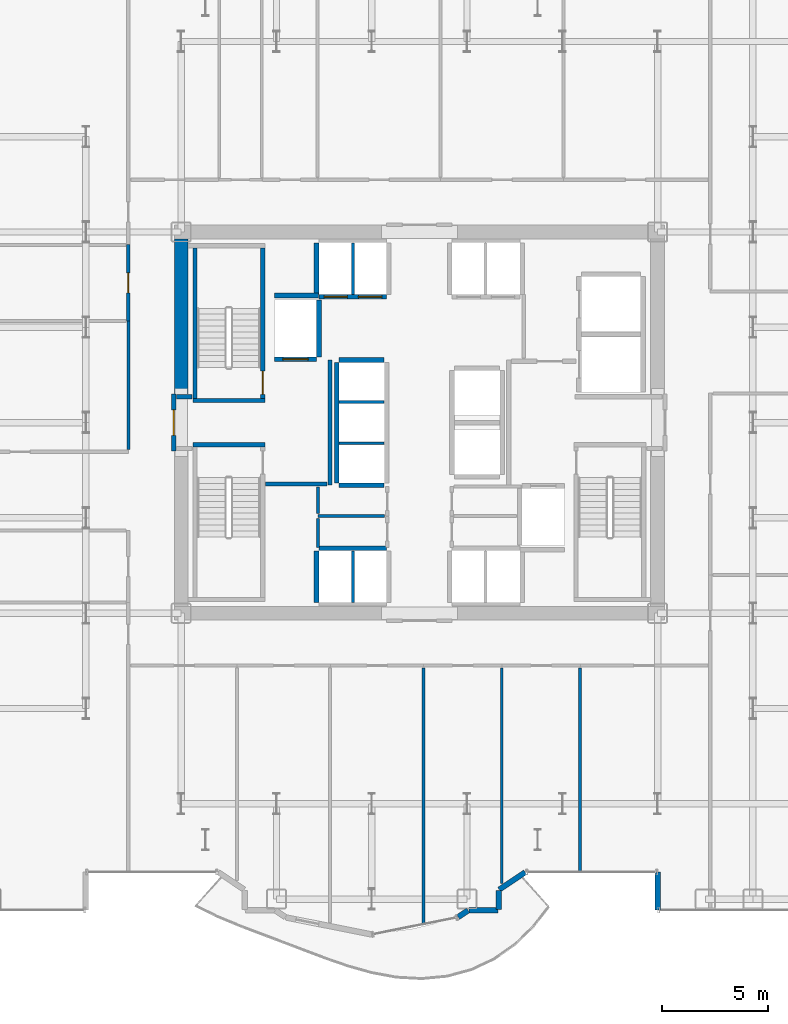
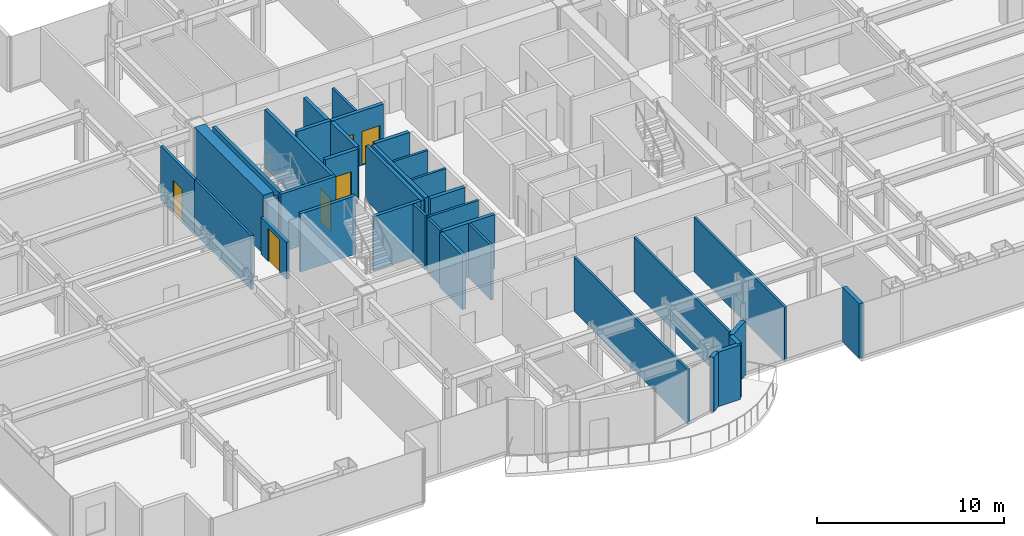
# One storey, part 23 of 29: 36 walls, 6 doors, 6 openings.
"""IFC4 building model written with IfcOpenShell, lengths in metres."""

from ifc_helpers import new_model, si_unit, direction, frame, frame_2d, origin, place, context, subcontext, project, spatial, rectangle, extrude, source, transform, mapped, material, layer, layer_set, type_object, element, fill, save


model = new_model("IFC4")

# Units and contexts
model_context = context("Model", 3, precision=1e-05, world=origin(), true_north=direction((0.0, 1.0)))
body_context = subcontext(model_context, "Body", "Model", "MODEL_VIEW")
ifc_project = project(units=[si_unit("LENGTHUNIT", "METRE"), si_unit("AREAUNIT", "SQUARE_METRE"), si_unit("VOLUMEUNIT", "CUBIC_METRE"), si_unit("PLANEANGLEUNIT", "RADIAN"), si_unit("MASSUNIT", "GRAM", prefix="KILO")], contexts=[model_context])

# Site, building, storey
site_placement = place(None, origin())
site = spatial("IfcSite", under=ifc_project, at=site_placement, CompositionType="ELEMENT")
building_placement = place(site_placement, origin())
building = spatial("IfcBuilding", under=site, at=building_placement, Name="Nefas-Gora Pilgrimage Tower", CompositionType="ELEMENT")
storey_placement = place(building_placement, frame((0.0, 0.0, 44.39990234375)))
storey = spatial("IfcBuildingStorey", under=building, at=storey_placement, Name="L09", CompositionType="ELEMENT", Elevation=44.39990234375)

# Walls
ifc_material_1 = material(Name="Concrete C60/75", Category="concrete")
ifc_layer_1 = layer(ifc_material_1, 0.64990234375)
ifc_layer_set_1 = layer_set([ifc_layer_1], Name="Concrete C60/75")
wall_type_1 = type_object("IfcWallType", Name="SW-CORE-650", PredefinedType="SHEAR", material=ifc_layer_set_1)
shared_shape_1 = source(origin(), body_context, "Body", "SweptSolid", [
    extrude(rectangle(XDim=7.324951171875, YDim=0.64990234375, at=frame_2d((3.66259765625, 0.0))), origin(), (0.0, 0.0, 1.0), 3.800048828125),
])
wall_1_placement = place(storey_placement, frame((-11.25, 1.35009765625, 0.0), z_axis=(0.0, 0.0, 1.0), x_axis=(0.0, 1.0, 0.0)))
element("IfcWall", 1, at=wall_1_placement, inside=storey, type_object=wall_type_1, Name="L09 Core Shear Wall W-North", PredefinedType="SHEAR", context=body_context, shape_type="MappedRepresentation", body=[
    mapped(shared_shape_1, transform((0.0, 0.0, 0.0), x_axis=(1.0, 0.0, 0.0), y_axis=(0.0, 1.0, 0.0), z_axis=(0.0, 0.0, 1.0), scale=1.0)),
])
ifc_material_2 = material(Name="Precast concrete C40/50", Category="concrete")
ifc_layer_2 = layer(ifc_material_2, 0.260009765625)
ifc_layer_set_2 = layer_set([ifc_layer_2], Name="Precast concrete C40/50")
wall_type_2 = type_object("IfcWallType", Name="EW-PORTAL-260", PredefinedType="SOLIDWALL", material=ifc_layer_set_2)
shared_shape_2 = source(origin(), body_context, "Body", "SweptSolid", [
    extrude(rectangle(XDim=1.800048828125, YDim=0.260009765625, at=frame_2d((0.89990234375, 0.0))), origin(), (0.0, 0.0, 1.0), 3.550048828125),
])
wall_2_placement = place(storey_placement, frame((11.25, -21.219970703125, 0.0), z_axis=(0.0, 0.0, 1.0), x_axis=(0.0, -1.0, 0.0)))
element("IfcWall", 2, at=wall_2_placement, inside=storey, type_object=wall_type_2, Name="L09 Lobe Shoulder Precast Spandrel Pier 5", PredefinedType="SOLIDWALL", context=body_context, shape_type="MappedRepresentation", body=[
    mapped(shared_shape_2, transform((0.0, 0.0, 0.0), x_axis=(1.0, 0.0, 0.0), y_axis=(0.0, 1.0, 0.0), z_axis=(0.0, 0.0, 1.0), scale=1.0)),
])
shared_shape_3 = source(origin(), body_context, "Body", "SweptSolid", [
    extrude(rectangle(XDim=1.468994140625, YDim=0.260009765625, at=frame_2d((0.734375, 0.0))), origin(), (0.0, 0.0, 1.0), 3.550048828125),
])
wall_3_placement = place(storey_placement, frame((3.773193359375, -22.0517578125, 0.0), z_axis=(0.0, 0.0, 1.0), x_axis=(0.831461760506, 0.555581983884, 0.0)))
element("IfcWall", 3, at=wall_3_placement, inside=storey, type_object=wall_type_2, Name="L09 Lobe Shoulder Precast Spandrel Pier 42", PredefinedType="SOLIDWALL", context=body_context, shape_type="MappedRepresentation", body=[
    mapped(shared_shape_3, transform((0.0, 0.0, 0.0), x_axis=(1.0, 0.0, 0.0), y_axis=(0.0, 1.0, 0.0), z_axis=(0.0, 0.0, 1.0), scale=1.0)),
])
shared_shape_4 = source(origin(), body_context, "Body", "SweptSolid", [
    extrude(rectangle(XDim=0.896728515625, YDim=0.260009765625, at=frame_2d((0.4482421875, 0.0))), origin(), (0.0, 0.0, 1.0), 3.550048828125),
])
wall_4_placement = place(storey_placement, frame((3.75, -22.991943359375, 0.0), z_axis=(0.0, 0.0, 1.0), x_axis=(0.0, 1.0, 0.0)))
element("IfcWall", 4, at=wall_4_placement, inside=storey, type_object=wall_type_2, Name="L09 Lobe Shoulder Precast Spandrel Pier 41", PredefinedType="SOLIDWALL", context=body_context, shape_type="MappedRepresentation", body=[
    mapped(shared_shape_4, transform((0.0, 0.0, 0.0), x_axis=(1.0, 0.0, 0.0), y_axis=(0.0, 1.0, 0.0), z_axis=(0.0, 0.0, 1.0), scale=1.0)),
])
shared_shape_5 = source(origin(), body_context, "Body", "SweptSolid", [
    extrude(rectangle(XDim=1.369873046875, YDim=0.260009765625, at=frame_2d((0.68505859375, 0.0))), origin(), (0.0, 0.0, 1.0), 3.550048828125),
])
wall_5_placement = place(storey_placement, frame((2.35205078125, -23.02001953125, 0.0), z_axis=(0.0, 0.0, 1.0), x_axis=(1.0, 0.0, 0.0)))
element("IfcWall", 5, at=wall_5_placement, inside=storey, type_object=wall_type_2, Name="L09 Lobe Shoulder Precast Spandrel Pier 40", PredefinedType="SOLIDWALL", context=body_context, shape_type="MappedRepresentation", body=[
    mapped(shared_shape_5, transform((0.0, 0.0, 0.0), x_axis=(1.0, 0.0, 0.0), y_axis=(0.0, 1.0, 0.0), z_axis=(0.0, 0.0, 1.0), scale=1.0)),
])
shared_shape_6 = source(origin(), body_context, "Body", "SweptSolid", [
    extrude(rectangle(XDim=0.5654296875, YDim=0.260009765625, at=frame_2d((0.28271484375, 0.0))), origin(), (0.0, 0.0, 1.0), 3.550048828125),
])
wall_6_placement = place(storey_placement, frame((1.83056640625, -23.349609375, 0.0), z_axis=(0.0, 0.0, 1.0), x_axis=(0.831651492666, 0.555297933317, 0.0)))
element("IfcWall", 6, at=wall_6_placement, inside=storey, type_object=wall_type_2, Name="L09 Lobe Shoulder Precast Spandrel Pier 39", PredefinedType="SOLIDWALL", context=body_context, shape_type="MappedRepresentation", body=[
    mapped(shared_shape_6, transform((0.0, 0.0, 0.0), x_axis=(1.0, 0.0, 0.0), y_axis=(0.0, 1.0, 0.0), z_axis=(0.0, 0.0, 1.0), scale=1.0)),
])
ifc_material_3 = material(Name="Concrete C45/55", Category="concrete")
ifc_layer_3 = layer(ifc_material_3, 0.199951171875)
ifc_layer_set_3 = layer_set([ifc_layer_3], Name="Concrete C45/55")
wall_type_3 = type_object("IfcWallType", Name="IW-STAIR-200", PredefinedType="SOLIDWALL", material=ifc_layer_set_3)
shared_shape_7 = source(origin(), body_context, "Body", "SweptSolid", [
    extrude(rectangle(XDim=3.39990234375, YDim=0.199951171875, at=frame_2d((1.699951171875, 0.0))), origin(), (0.0, 0.0, 1.0), 3.800048828125),
])
for number, where, z_axis, x_axis, name in (
    (7, (-7.300048828125, 1.050048828125, 0.0), (0.0, 0.0, 1.0), (-1.0, 0.0, 0.0), "L09 Stairwell Shear Wall ST-01-near"),
    (8, (-10.699951171875, -1.050048828125, 0.0), (0.0, 0.0, 1.0), (1.0, 0.0, 0.0), "L09 Stairwell Shear Wall ST-03-near"),
):
    element("IfcWall", number, at=place(storey_placement, frame(where, z_axis=z_axis, x_axis=x_axis)), inside=storey, type_object=wall_type_3, Name=name, PredefinedType="SOLIDWALL", context=body_context, shape_type="MappedRepresentation", body=[
        mapped(shared_shape_7, transform((0.0, 0.0, 0.0), x_axis=(1.0, 0.0, 0.0), y_axis=(0.0, 1.0, 0.0), z_axis=(0.0, 0.0, 1.0), scale=1.0)),
    ])

# Wall, opening, door
shared_shape_8 = source(origin(), body_context, "Body", "SweptSolid", [
    extrude(rectangle(XDim=7.10009765625, YDim=0.199951171875, at=frame_2d((3.550048828125, 0.0))), origin(), (0.0, 0.0, 1.0), 3.800048828125),
])
wall_7_placement = place(storey_placement, frame((-7.39990234375, 1.14990234375, 0.0), z_axis=(0.0, 0.0, 1.0), x_axis=(0.0, 1.0, 0.0)))
wall_7 = element("IfcWall", 9, at=wall_7_placement, inside=storey, type_object=wall_type_3, Name="L09 Stairwell Shear Wall ST-01-left", PredefinedType="SOLIDWALL", context=body_context, shape_type="MappedRepresentation", body=[
    mapped(shared_shape_8, transform((0.0, 0.0, 0.0), x_axis=(1.0, 0.0, 0.0), y_axis=(0.0, 1.0, 0.0), z_axis=(0.0, 0.0, 1.0), scale=1.0)),
])
opening_1_placement = place(wall_7_placement, frame((0.179931640625, 0.0, 0.0)))
opening_1 = element("IfcOpeningElement", 10, at=opening_1_placement, cuts=wall_7, Name="Opening ID-ST1", PredefinedType="OPENING", context=body_context, shape_type="SweptSolid", body=[
    extrude(rectangle(XDim=1.10009765625, YDim=2.14990234375, at=frame_2d((0.550048828125, 1.074951171875))), frame((0.0, 0.10986328125, 0.0), z_axis=(0.0, -1.0, 0.0), x_axis=(1.0, 0.0, 0.0)), (0.0, 0.0, 1.0), 0.219970703125),
])
ifc_material_4 = material(Name="Painted galvanised steel fire stair door", Category="steel")
door_type_1 = type_object("IfcDoorType", Name="DR-INT-STAIR-1100", OperationType="NOTDEFINED", PredefinedType="DOOR", material=ifc_material_4)
shared_shape_9 = source(origin(), body_context, "Body", "SweptSolid", [
    extrude(rectangle(XDim=1.10009765625, YDim=2.14990234375, at=frame_2d((0.550048828125, 1.074951171875))), frame((0.0, 0.02490234375, 0.0), z_axis=(0.0, -1.0, 0.0), x_axis=(1.0, 0.0, 0.0)), (0.0, 0.0, 1.0), 0.050048828125),
])
door_1_placement = place(opening_1_placement, origin())
door_1 = element("IfcDoor", 11, at=door_1_placement, inside=storey, type_object=door_type_1, Name="L09 Protected Exit Stair Door ST-01", OperationType="SINGLE_SWING_LEFT", OverallHeight=2.14990234375, OverallWidth=1.10009765625, PredefinedType="DOOR", context=body_context, shape_type="MappedRepresentation", body=[
    mapped(shared_shape_9, transform((0.0, 0.0, 0.0), x_axis=(1.0, 0.0, 0.0), y_axis=(0.0, 1.0, 0.0), z_axis=(0.0, 0.0, 1.0), scale=1.0)),
])
fill(opening_1, door_1)

# Wall
wall_8_placement = place(storey_placement, frame((-10.60009765625, 1.14990234375, 0.0), z_axis=(0.0, 0.0, 1.0), x_axis=(0.0, 1.0, 0.0)))
element("IfcWall", 12, at=wall_8_placement, inside=storey, type_object=wall_type_3, Name="L09 Stairwell Shear Wall ST-01-right", PredefinedType="SOLIDWALL", context=body_context, shape_type="MappedRepresentation", body=[
    mapped(shared_shape_8, transform((0.0, 0.0, 0.0), x_axis=(1.0, 0.0, 0.0), y_axis=(0.0, 1.0, 0.0), z_axis=(0.0, 0.0, 1.0), scale=1.0)),
])

# Wall, opening, door
ifc_material_5 = material(Name="Concrete C40/50", Category="concrete")
ifc_layer_4 = layer(ifc_material_5, 0.219970703125)
ifc_layer_set_4 = layer_set([ifc_layer_4], Name="Concrete C40/50")
wall_type_4 = type_object("IfcWallType", Name="IW-SHAFT-220", PredefinedType="SOLIDWALL", material=ifc_layer_set_4)
shared_shape_10 = source(origin(), body_context, "Body", "SweptSolid", [
    extrude(rectangle(XDim=2.0, YDim=0.219970703125, at=frame_2d((1.0, 0.0))), origin(), (0.0, 0.0, 1.0), 3.53515625),
])
wall_9_placement = place(storey_placement, frame((-6.85009765625, 2.989990234375, 0.0), z_axis=(0.0, 0.0, 1.0), x_axis=(1.0, 0.0, 0.0)))
wall_9 = element("IfcWall", 13, at=wall_9_placement, inside=storey, type_object=wall_type_4, Name="L09 Hoistway Wall FFL-01-S", PredefinedType="SOLIDWALL", context=body_context, shape_type="MappedRepresentation", body=[
    mapped(shared_shape_10, transform((0.0, 0.0, 0.0), x_axis=(1.0, 0.0, 0.0), y_axis=(0.0, 1.0, 0.0), z_axis=(0.0, 0.0, 1.0), scale=1.0)),
])
opening_2_placement = place(wall_9_placement, frame((0.39990234375, 0.0, 0.0)))
opening_2 = element("IfcOpeningElement", 14, at=opening_2_placement, cuts=wall_9, Name="Opening LD-FF", PredefinedType="OPENING", context=body_context, shape_type="SweptSolid", body=[
    extrude(rectangle(XDim=1.199951171875, YDim=2.199951171875, at=frame_2d((0.60009765625, 1.10009765625))), frame((0.0, 0.119873046875, 0.0), z_axis=(0.0, -1.0, 0.0), x_axis=(1.0, 0.0, 0.0)), (0.0, 0.0, 1.0), 0.239990234375),
])
ifc_material_6 = material(Name="Fire-service sliding lift landing door")
door_type_2 = type_object("IfcDoorType", Name="DR-LIFT-FSAE-1200", OperationType="SLIDING_TO_LEFT", PredefinedType="DOOR", material=ifc_material_6)
shared_shape_11 = source(origin(), body_context, "Body", "SweptSolid", [
    extrude(rectangle(XDim=1.199951171875, YDim=2.199951171875, at=frame_2d((0.60009765625, 1.10009765625))), frame((0.0, 0.02490234375, 0.0), z_axis=(0.0, -1.0, 0.0), x_axis=(1.0, 0.0, 0.0)), (0.0, 0.0, 1.0), 0.050048828125),
])
door_2_placement = place(opening_2_placement, origin())
door_2 = element("IfcDoor", 15, at=door_2_placement, inside=storey, type_object=door_type_2, Name="L09 Sliding Lift Landing Door FFL-01", OperationType="SLIDING_TO_LEFT", OverallHeight=2.199951171875, OverallWidth=1.199951171875, PredefinedType="DOOR", context=body_context, shape_type="MappedRepresentation", body=[
    mapped(shared_shape_11, transform((0.0, 0.0, 0.0), x_axis=(1.0, 0.0, 0.0), y_axis=(0.0, 1.0, 0.0), z_axis=(0.0, 0.0, 1.0), scale=1.0)),
])
fill(opening_2, door_2)

# Wall
shared_shape_12 = source(origin(), body_context, "Body", "SweptSolid", [
    extrude(rectangle(XDim=2.679931640625, YDim=0.219970703125, at=frame_2d((1.33984375, 0.0))), origin(), (0.0, 0.0, 1.0), 3.53515625),
])
wall_10_placement = place(storey_placement, frame((-4.739990234375, 3.110107421875, 0.0), z_axis=(0.0, 0.0, 1.0), x_axis=(0.0, 1.0, 0.0)))
element("IfcWall", 16, at=wall_10_placement, inside=storey, type_object=wall_type_4, Name="L09 Hoistway Wall FFL-01-E", PredefinedType="SOLIDWALL", context=body_context, shape_type="MappedRepresentation", body=[
    mapped(shared_shape_12, transform((0.0, 0.0, 0.0), x_axis=(1.0, 0.0, 0.0), y_axis=(0.0, 1.0, 0.0), z_axis=(0.0, 0.0, 1.0), scale=1.0)),
])

# Wall, openings, doors
shared_shape_13 = source(origin(), body_context, "Body", "SweptSolid", [
    extrude(rectangle(XDim=3.199951171875, YDim=0.219970703125, at=frame_2d((1.60009765625, 0.0))), origin(), (0.0, 0.0, 1.0), 3.53515625),
])
wall_11_placement = place(storey_placement, frame((-4.75, 5.93994140625, 0.0), z_axis=(0.0, 0.0, 1.0), x_axis=(1.0, 0.0, 0.0)))
wall_11 = element("IfcWall", 17, at=wall_11_placement, inside=storey, type_object=wall_type_4, Name="L09 Hoistway Wall PL1-W-S", PredefinedType="SOLIDWALL", context=body_context, shape_type="MappedRepresentation", body=[
    mapped(shared_shape_13, transform((0.0, 0.0, 0.0), x_axis=(1.0, 0.0, 0.0), y_axis=(0.0, 1.0, 0.0), z_axis=(0.0, 0.0, 1.0), scale=1.0)),
])
opening_3_placement = place(wall_11_placement, frame((0.25, 0.0, 0.0)))
opening_3 = element("IfcOpeningElement", 18, at=opening_3_placement, cuts=wall_11, Name="Opening LD-01", PredefinedType="OPENING", context=body_context, shape_type="SweptSolid", body=[
    extrude(rectangle(XDim=1.10009765625, YDim=2.199951171875, at=frame_2d((0.550048828125, 1.10009765625))), frame((0.0, 0.119873046875, 0.0), z_axis=(0.0, -1.0, 0.0), x_axis=(1.0, 0.0, 0.0)), (0.0, 0.0, 1.0), 0.239990234375),
])
opening_4_placement = place(wall_11_placement, frame((1.875, 0.0, 0.0)))
opening_4 = element("IfcOpeningElement", 19, at=opening_4_placement, cuts=wall_11, Name="Opening LD-01", PredefinedType="OPENING", context=body_context, shape_type="SweptSolid", body=[
    extrude(rectangle(XDim=1.10009765625, YDim=2.199951171875, at=frame_2d((0.550048828125, 1.10009765625))), frame((0.0, 0.119873046875, 0.0), z_axis=(0.0, -1.0, 0.0), x_axis=(1.0, 0.0, 0.0)), (0.0, 0.0, 1.0), 0.239990234375),
])
ifc_material_7 = material(Name="Brushed stainless sliding lift landing door")
door_type_3 = type_object("IfcDoorType", Name="DR-LIFT-PASS-1100", OperationType="DOUBLE_DOOR_SLIDING", PredefinedType="DOOR", material=ifc_material_7)
shared_shape_14 = source(origin(), body_context, "Body", "SweptSolid", [
    extrude(rectangle(XDim=1.10009765625, YDim=2.199951171875, at=frame_2d((0.550048828125, 1.10009765625))), frame((0.0, 0.02490234375, 0.0), z_axis=(0.0, -1.0, 0.0), x_axis=(1.0, 0.0, 0.0)), (0.0, 0.0, 1.0), 0.050048828125),
])
door_3_placement = place(opening_3_placement, origin())
door_3 = element("IfcDoor", 20, at=door_3_placement, inside=storey, type_object=door_type_3, Name="L09 Sliding Lift Landing Door PL1-01", OperationType="DOUBLE_DOOR_SLIDING", OverallHeight=2.199951171875, OverallWidth=1.10009765625, PredefinedType="DOOR", context=body_context, shape_type="MappedRepresentation", body=[
    mapped(shared_shape_14, transform((0.0, 0.0, 0.0), x_axis=(1.0, 0.0, 0.0), y_axis=(0.0, 1.0, 0.0), z_axis=(0.0, 0.0, 1.0), scale=1.0)),
])
fill(opening_3, door_3)
door_4_placement = place(opening_4_placement, origin())
door_4 = element("IfcDoor", 21, at=door_4_placement, inside=storey, type_object=door_type_3, Name="L09 Sliding Lift Landing Door PL1-02", OperationType="DOUBLE_DOOR_SLIDING", OverallHeight=2.199951171875, OverallWidth=1.10009765625, PredefinedType="DOOR", context=body_context, shape_type="MappedRepresentation", body=[
    mapped(shared_shape_14, transform((0.0, 0.0, 0.0), x_axis=(1.0, 0.0, 0.0), y_axis=(0.0, 1.0, 0.0), z_axis=(0.0, 0.0, 1.0), scale=1.0)),
])
fill(opening_4, door_4)

# Walls
wall_12_placement = place(storey_placement, frame((-1.550048828125, -5.93994140625, 0.0), z_axis=(0.0, 0.0, 1.0), x_axis=(-1.0, 0.0, 0.0)))
element("IfcWall", 22, at=wall_12_placement, inside=storey, type_object=wall_type_4, Name="L09 Hoistway Wall PL2-W-N", PredefinedType="SOLIDWALL", context=body_context, shape_type="MappedRepresentation", body=[
    mapped(shared_shape_13, transform((0.0, 0.0, 0.0), x_axis=(1.0, 0.0, 0.0), y_axis=(0.0, 1.0, 0.0), z_axis=(0.0, 0.0, 1.0), scale=1.0)),
])
shared_shape_15 = source(origin(), body_context, "Body", "SweptSolid", [
    extrude(rectangle(XDim=2.429931640625, YDim=0.219970703125, at=frame_2d((1.21484375, 0.0))), origin(), (0.0, 0.0, 1.0), 3.53515625),
])
for number, where, z_axis, x_axis, name in (
    (23, (-4.860107421875, 8.489990234375, 0.0), (0.0, 0.0, 1.0), (0.0, -1.0, 0.0), "L09 Hoistway Wall PL1-W-W"),
    (24, (-4.860107421875, -6.06005859375, 0.0), (0.0, 0.0, 1.0), (0.0, -1.0, 0.0), "L09 Hoistway Wall PL2-W-W"),
):
    element("IfcWall", number, at=place(storey_placement, frame(where, z_axis=z_axis, x_axis=x_axis)), inside=storey, type_object=wall_type_4, Name=name, PredefinedType="SOLIDWALL", context=body_context, shape_type="MappedRepresentation", body=[
        mapped(shared_shape_15, transform((0.0, 0.0, 0.0), x_axis=(1.0, 0.0, 0.0), y_axis=(0.0, 1.0, 0.0), z_axis=(0.0, 0.0, 1.0), scale=1.0)),
    ])
ifc_material_8 = material(Name="Gypsum twin-stud partition")
ifc_layer_5 = layer(ifc_material_8, 0.139892578125)
ifc_layer_set_5 = layer_set([ifc_layer_5], Name="Gypsum twin-stud partition")
wall_type_5 = type_object("IfcWallType", Name="IW-UNIT-140", PredefinedType="PARTITIONING", material=ifc_layer_set_5)
shared_shape_16 = source(origin(), body_context, "Body", "SweptSolid", [
    extrude(rectangle(XDim=2.429931640625, YDim=0.139892578125, at=frame_2d((1.21484375, 0.0))), origin(), (0.0, 0.0, 1.0), 3.53515625),
])
for number, where, z_axis, x_axis, name in (
    (25, (-3.125, 6.06005859375, 0.0), (0.0, 0.0, 1.0), (0.0, 1.0, 0.0), "L09 Hoistway Wall PL1-W-DIV"),
    (26, (-3.125, -8.489990234375, 0.0), (0.0, 0.0, 1.0), (0.0, 1.0, 0.0), "L09 Hoistway Wall PL2-W-DIV"),
):
    element("IfcWall", number, at=place(storey_placement, frame(where, z_axis=z_axis, x_axis=x_axis)), inside=storey, type_object=wall_type_5, Name=name, PredefinedType="PARTITIONING", context=body_context, shape_type="MappedRepresentation", body=[
        mapped(shared_shape_16, transform((0.0, 0.0, 0.0), x_axis=(1.0, 0.0, 0.0), y_axis=(0.0, 1.0, 0.0), z_axis=(0.0, 0.0, 1.0), scale=1.0)),
    ])
shared_shape_17 = source(origin(), body_context, "Body", "SweptSolid", [
    extrude(rectangle(XDim=5.7001953125, YDim=0.219970703125, at=frame_2d((2.85009765625, 0.0))), origin(), (0.0, 0.0, 1.0), 3.53515625),
])
wall_13_placement = place(storey_placement, frame((-3.909912109375, 2.85009765625, 0.0), z_axis=(0.0, 0.0, 1.0), x_axis=(0.0, -1.0, 0.0)))
element("IfcWall", 27, at=wall_13_placement, inside=storey, type_object=wall_type_4, Name="L09 Hoistway Wall PL3-01-03-W", PredefinedType="SOLIDWALL", context=body_context, shape_type="MappedRepresentation", body=[
    mapped(shared_shape_17, transform((0.0, 0.0, 0.0), x_axis=(1.0, 0.0, 0.0), y_axis=(0.0, 1.0, 0.0), z_axis=(0.0, 0.0, 1.0), scale=1.0)),
])
shared_shape_18 = source(origin(), body_context, "Body", "SweptSolid", [
    extrude(rectangle(XDim=2.130126953125, YDim=0.219970703125, at=frame_2d((1.06494140625, 0.0))), origin(), (0.0, 0.0, 1.0), 3.53515625),
])
for number, where, z_axis, x_axis, name in (
    (28, (-3.7900390625, -2.9599609375, 0.0), (0.0, 0.0, 1.0), (1.0, 0.0, 0.0), "L09 Hoistway Wall PL3-01-S"),
    (29, (-1.659912109375, 2.9599609375, 0.0), (0.0, 0.0, 1.0), (-1.0, 0.0, 0.0), "L09 Hoistway Wall PL3-03-N"),
):
    element("IfcWall", number, at=place(storey_placement, frame(where, z_axis=z_axis, x_axis=x_axis)), inside=storey, type_object=wall_type_4, Name=name, PredefinedType="SOLIDWALL", context=body_context, shape_type="MappedRepresentation", body=[
        mapped(shared_shape_18, transform((0.0, 0.0, 0.0), x_axis=(1.0, 0.0, 0.0), y_axis=(0.0, 1.0, 0.0), z_axis=(0.0, 0.0, 1.0), scale=1.0)),
    ])
shared_shape_19 = source(origin(), body_context, "Body", "SweptSolid", [
    extrude(rectangle(XDim=2.130126953125, YDim=0.139892578125, at=frame_2d((1.06494140625, 0.0))), origin(), (0.0, 0.0, 1.0), 3.53515625),
])
for number, where, z_axis, x_axis, name in (
    (30, (-3.7900390625, -0.97509765625, 0.0), (0.0, 0.0, 1.0), (1.0, 0.0, 0.0), "L09 Hoistway Wall PL3-01-02-DIV"),
    (31, (-3.7900390625, 0.97509765625, 0.0), (0.0, 0.0, 1.0), (1.0, 0.0, 0.0), "L09 Hoistway Wall PL3-02-03-DIV"),
):
    element("IfcWall", number, at=place(storey_placement, frame(where, z_axis=z_axis, x_axis=x_axis)), inside=storey, type_object=wall_type_5, Name=name, PredefinedType="PARTITIONING", context=body_context, shape_type="MappedRepresentation", body=[
        mapped(shared_shape_19, transform((0.0, 0.0, 0.0), x_axis=(1.0, 0.0, 0.0), y_axis=(0.0, 1.0, 0.0), z_axis=(0.0, 0.0, 1.0), scale=1.0)),
    ])

# Wall, opening, door
ifc_material_9 = material(Name="Gypsum fire-rated shaftwall")
ifc_layer_6 = layer(ifc_material_9, 0.199951171875)
ifc_layer_set_6 = layer_set([ifc_layer_6], Name="Gypsum fire-rated shaftwall")
wall_type_6 = type_object("IfcWallType", Name="IW-FFLOB-200", PredefinedType="PARTITIONING", material=ifc_layer_set_6)
shared_shape_20 = source(origin(), body_context, "Body", "SweptSolid", [
    extrude(rectangle(XDim=2.7001953125, YDim=0.199951171875, at=frame_2d((1.35009765625, 0.0))), origin(), (0.0, 0.0, 1.0), 2.425048828125),
])
wall_14_placement = place(storey_placement, frame((-11.60009765625, -1.35009765625, 0.0), z_axis=(0.0, 0.0, 1.0), x_axis=(0.0, 1.0, 0.0)))
wall_14 = element("IfcWall", 32, at=wall_14_placement, inside=storey, type_object=wall_type_6, Name="L09 FF Lobby West Portal Wall 3", PredefinedType="PARTITIONING", context=body_context, shape_type="MappedRepresentation", body=[
    mapped(shared_shape_20, transform((0.0, 0.0, 0.0), x_axis=(1.0, 0.0, 0.0), y_axis=(0.0, 1.0, 0.0), z_axis=(0.0, 0.0, 1.0), scale=1.0)),
])
opening_5_placement = place(wall_14_placement, frame((0.75, 0.0, 0.0)))
opening_5 = element("IfcOpeningElement", 33, at=opening_5_placement, cuts=wall_14, Name="Opening ID-FF1", PredefinedType="OPENING", context=body_context, shape_type="SweptSolid", body=[
    extrude(rectangle(XDim=1.199951171875, YDim=2.14990234375, at=frame_2d((0.60009765625, 1.074951171875))), frame((0.0, 0.10986328125, 0.0), z_axis=(0.0, -1.0, 0.0), x_axis=(1.0, 0.0, 0.0)), (0.0, 0.0, 1.0), 0.219970703125),
])
ifc_material_10 = material(Name="Smoke-sealed steel firefighting lobby door", Category="steel")
door_type_4 = type_object("IfcDoorType", Name="DR-INT-FFLOB-1200", OperationType="NOTDEFINED", PredefinedType="DOOR", material=ifc_material_10)
shared_shape_21 = source(origin(), body_context, "Body", "SweptSolid", [
    extrude(rectangle(XDim=1.199951171875, YDim=2.14990234375, at=frame_2d((0.60009765625, 1.074951171875))), frame((0.0, 0.02490234375, 0.0), z_axis=(0.0, -1.0, 0.0), x_axis=(1.0, 0.0, 0.0)), (0.0, 0.0, 1.0), 0.050048828125),
])
door_5_placement = place(opening_5_placement, origin())
door_5 = element("IfcDoor", 34, at=door_5_placement, inside=storey, type_object=door_type_4, Name="L09 FF Lobby West Portal Door 1", OperationType="SINGLE_SWING_RIGHT", OverallHeight=2.14990234375, OverallWidth=1.199951171875, PredefinedType="DOOR", context=body_context, shape_type="MappedRepresentation", body=[
    mapped(shared_shape_21, transform((0.0, 0.0, 0.0), x_axis=(1.0, 0.0, 0.0), y_axis=(0.0, 1.0, 0.0), z_axis=(0.0, 0.0, 1.0), scale=1.0)),
])
fill(opening_5, door_5)

# Walls
shared_shape_22 = source(origin(), body_context, "Body", "SweptSolid", [
    extrude(rectangle(XDim=2.09521484375, YDim=0.219970703125, at=frame_2d((1.047607421875, 0.0))), origin(), (0.0, 0.0, 1.0), 3.53515625),
])
wall_15_placement = place(storey_placement, frame((-6.85009765625, 6.0, 0.0), z_axis=(0.0, 0.0, 1.0), x_axis=(1.0, 0.0, 0.0)))
element("IfcWall", 35, at=wall_15_placement, inside=storey, type_object=wall_type_4, Name="L09 Riser Shaft Wall 1", PredefinedType="SOLIDWALL", context=body_context, shape_type="MappedRepresentation", body=[
    mapped(shared_shape_22, transform((0.0, 0.0, 0.0), x_axis=(1.0, 0.0, 0.0), y_axis=(0.0, 1.0, 0.0), z_axis=(0.0, 0.0, 1.0), scale=1.0)),
])
shared_shape_23 = source(origin(), body_context, "Body", "SweptSolid", [
    extrude(rectangle(XDim=5.89990234375, YDim=0.199951171875, at=frame_2d((2.949951171875, 0.0))), origin(), (0.0, 0.0, 1.0), 3.53515625),
])
wall_16_placement = place(storey_placement, frame((-4.219970703125, -2.949951171875, 0.0), z_axis=(0.0, 0.0, 1.0), x_axis=(0.0, 1.0, 0.0)))
element("IfcWall", 36, at=wall_16_placement, inside=storey, type_object=wall_type_6, Name="L09 FF Lobby West Inner Wall Wall 4", PredefinedType="PARTITIONING", context=body_context, shape_type="MappedRepresentation", body=[
    mapped(shared_shape_23, transform((0.0, 0.0, 0.0), x_axis=(1.0, 0.0, 0.0), y_axis=(0.0, 1.0, 0.0), z_axis=(0.0, 0.0, 1.0), scale=1.0)),
])
shared_shape_24 = source(origin(), body_context, "Body", "SweptSolid", [
    extrude(rectangle(XDim=2.89990234375, YDim=0.199951171875, at=frame_2d((1.449951171875, 0.0))), origin(), (0.0, 0.0, 1.0), 3.53515625),
])
wall_17_placement = place(storey_placement, frame((-7.260009765625, -2.89990234375, 0.0), z_axis=(0.0, 0.0, 1.0), x_axis=(1.0, 0.0, 0.0)))
element("IfcWall", 37, at=wall_17_placement, inside=storey, type_object=wall_type_6, Name="L09 FF Lobby West South Wall Wall 5", PredefinedType="PARTITIONING", context=body_context, shape_type="MappedRepresentation", body=[
    mapped(shared_shape_24, transform((0.0, 0.0, 0.0), x_axis=(1.0, 0.0, 0.0), y_axis=(0.0, 1.0, 0.0), z_axis=(0.0, 0.0, 1.0), scale=1.0)),
])
shared_shape_25 = source(origin(), body_context, "Body", "SweptSolid", [
    extrude(rectangle(XDim=0.719970703125, YDim=0.199951171875, at=frame_2d((0.35986328125, 0.0))), origin(), (0.0, 0.0, 1.0), 3.53515625),
])
wall_18_placement = place(storey_placement, frame((-11.4599609375, 1.219970703125, 0.0), z_axis=(0.0, 0.0, 1.0), x_axis=(1.0, 0.0, 0.0)))
element("IfcWall", 38, at=wall_18_placement, inside=storey, type_object=wall_type_6, Name="L09 FF Lobby West Throat N Wall 6", PredefinedType="PARTITIONING", context=body_context, shape_type="MappedRepresentation", body=[
    mapped(shared_shape_25, transform((0.0, 0.0, 0.0), x_axis=(1.0, 0.0, 0.0), y_axis=(0.0, 1.0, 0.0), z_axis=(0.0, 0.0, 1.0), scale=1.0)),
])
shared_shape_26 = source(origin(), body_context, "Body", "SweptSolid", [
    extrude(rectangle(XDim=3.150146484375, YDim=0.139892578125, at=frame_2d((1.5751953125, 0.0))), origin(), (0.0, 0.0, 1.0), 3.53515625),
])
wall_19_placement = place(storey_placement, frame((-4.7900390625, -4.409912109375, 0.0), z_axis=(0.0, 0.0, 1.0), x_axis=(1.0, 0.0, 0.0)))
element("IfcWall", 39, at=wall_19_placement, inside=storey, type_object=wall_type_5, Name="L09 Housekeeping and Linen Store Partition Wall 17", PredefinedType="PARTITIONING", context=body_context, shape_type="MappedRepresentation", body=[
    mapped(shared_shape_26, transform((0.0, 0.0, 0.0), x_axis=(1.0, 0.0, 0.0), y_axis=(0.0, 1.0, 0.0), z_axis=(0.0, 0.0, 1.0), scale=1.0)),
])
shared_shape_27 = source(origin(), body_context, "Body", "SweptSolid", [
    extrude(rectangle(XDim=1.260009765625, YDim=0.139892578125, at=frame_2d((0.6298828125, 0.0))), origin(), (0.0, 0.0, 1.0), 3.53515625),
])
wall_20_placement = place(storey_placement, frame((-4.780029296875, -4.300048828125, 0.0), z_axis=(0.0, 0.0, 1.0), x_axis=(0.0, 1.0, 0.0)))
element("IfcWall", 40, at=wall_20_placement, inside=storey, type_object=wall_type_5, Name="L09 Housekeeping and Linen Store Partition Wall 18", PredefinedType="PARTITIONING", context=body_context, shape_type="MappedRepresentation", body=[
    mapped(shared_shape_27, transform((0.0, 0.0, 0.0), x_axis=(1.0, 0.0, 0.0), y_axis=(0.0, 1.0, 0.0), z_axis=(0.0, 0.0, 1.0), scale=1.0)),
])
shared_shape_28 = source(origin(), body_context, "Body", "SweptSolid", [
    extrude(rectangle(XDim=1.369873046875, YDim=0.139892578125, at=frame_2d((0.68505859375, 0.0))), origin(), (0.0, 0.0, 1.0), 3.53515625),
])
wall_21_placement = place(storey_placement, frame((-4.780029296875, -5.889892578125, 0.0), z_axis=(0.0, 0.0, 1.0), x_axis=(0.0, 1.0, 0.0)))
element("IfcWall", 41, at=wall_21_placement, inside=storey, type_object=wall_type_5, Name="L09 Guest Self-Service Laundry Room Partition Wall 20", PredefinedType="PARTITIONING", context=body_context, shape_type="MappedRepresentation", body=[
    mapped(shared_shape_28, transform((0.0, 0.0, 0.0), x_axis=(1.0, 0.0, 0.0), y_axis=(0.0, 1.0, 0.0), z_axis=(0.0, 0.0, 1.0), scale=1.0)),
])
shared_shape_29 = source(origin(), body_context, "Body", "SweptSolid", [
    extrude(rectangle(XDim=6.06494140625, YDim=0.139892578125, at=frame_2d((3.032470703125, 0.0))), origin(), (0.0, 0.0, 1.0), 3.53515625),
])
wall_22_placement = place(storey_placement, frame((-13.739990234375, -1.260009765625, 0.0), z_axis=(0.0, 0.0, 1.0), x_axis=(0.0, 1.0, 0.0)))
element("IfcWall", 42, at=wall_22_placement, inside=storey, type_object=wall_type_5, Name="L09 Pilgrim Fellowship Seminar Room Partition Wall 33", PredefinedType="PARTITIONING", context=body_context, shape_type="MappedRepresentation", body=[
    mapped(shared_shape_29, transform((0.0, 0.0, 0.0), x_axis=(1.0, 0.0, 0.0), y_axis=(0.0, 1.0, 0.0), z_axis=(0.0, 0.0, 1.0), scale=1.0)),
])

# Wall, opening, door
ifc_material_11 = material(Name="Gypsum acoustic stud partition")
ifc_layer_7 = layer(ifc_material_11, 0.159912109375)
ifc_layer_set_7 = layer_set([ifc_layer_7], Name="Gypsum acoustic stud partition")
wall_type_7 = type_object("IfcWallType", Name="IW-CORR-160", PredefinedType="PARTITIONING", material=ifc_layer_set_7)
shared_shape_30 = source(origin(), body_context, "Body", "SweptSolid", [
    extrude(rectangle(XDim=3.610107421875, YDim=0.159912109375, at=frame_2d((1.80517578125, 0.0))), origin(), (0.0, 0.0, 1.0), 3.53515625),
])
wall_23_placement = place(storey_placement, frame((-13.739990234375, 4.794921875, 0.0), z_axis=(0.0, 0.0, 1.0), x_axis=(0.0, 1.0, 0.0)))
wall_23 = element("IfcWall", 43, at=wall_23_placement, inside=storey, type_object=wall_type_7, Name="L09 Pilgrim Fellowship Seminar Room Partition Wall 36", PredefinedType="PARTITIONING", context=body_context, shape_type="MappedRepresentation", body=[
    mapped(shared_shape_30, transform((0.0, 0.0, 0.0), x_axis=(1.0, 0.0, 0.0), y_axis=(0.0, 1.0, 0.0), z_axis=(0.0, 0.0, 1.0), scale=1.0)),
])
opening_6_placement = place(wall_23_placement, frame((1.330078125, 0.0, 0.0)))
opening_6 = element("IfcOpeningElement", 44, at=opening_6_placement, cuts=wall_23, Name="Opening ID-GR1", PredefinedType="OPENING", context=body_context, shape_type="SweptSolid", body=[
    extrude(rectangle(XDim=0.949951171875, YDim=2.10009765625, at=frame_2d((0.47509765625, 1.050048828125))), frame((0.0, 0.08984375, 0.0), z_axis=(0.0, -1.0, 0.0), x_axis=(1.0, 0.0, 0.0)), (0.0, 0.0, 1.0), 0.179931640625),
])
ifc_material_12 = material(Name="Solid core oak fire-rated guest entrance door")
door_type_5 = type_object("IfcDoorType", Name="DR-INT-GUEST-950", OperationType="NOTDEFINED", PredefinedType="DOOR", material=ifc_material_12)
shared_shape_31 = source(origin(), body_context, "Body", "SweptSolid", [
    extrude(rectangle(XDim=0.949951171875, YDim=2.10009765625, at=frame_2d((0.47509765625, 1.050048828125))), frame((0.0, 0.02490234375, 0.0), z_axis=(0.0, -1.0, 0.0), x_axis=(1.0, 0.0, 0.0)), (0.0, 0.0, 1.0), 0.050048828125),
])
door_6_placement = place(opening_6_placement, origin())
door_6 = element("IfcDoor", 45, at=door_6_placement, inside=storey, type_object=door_type_5, Name="L09 Pilgrim Fellowship Seminar Room Door 15", OperationType="SINGLE_SWING_RIGHT", OverallHeight=2.10009765625, OverallWidth=0.949951171875, PredefinedType="DOOR", context=body_context, shape_type="MappedRepresentation", body=[
    mapped(shared_shape_31, transform((0.0, 0.0, 0.0), x_axis=(1.0, 0.0, 0.0), y_axis=(0.0, 1.0, 0.0), z_axis=(0.0, 0.0, 1.0), scale=1.0)),
])
fill(opening_6, door_6)

# Walls
shared_shape_32 = source(origin(), body_context, "Body", "SweptSolid", [
    extrude(rectangle(XDim=9.64990234375, YDim=0.139892578125, at=frame_2d((4.824951171875, 0.0))), origin(), (0.0, 0.0, 1.0), 3.53515625),
])
wall_24_placement = place(storey_placement, frame((7.594970703125, -21.239990234375, 0.0), z_axis=(0.0, 0.0, 1.0), x_axis=(0.0, 1.0, 0.0)))
element("IfcWall", 46, at=wall_24_placement, inside=storey, type_object=wall_type_5, Name="L09 Pilgrim Contemplative Lounge Partition Wall 66", PredefinedType="PARTITIONING", context=body_context, shape_type="MappedRepresentation", body=[
    mapped(shared_shape_32, transform((0.0, 0.0, 0.0), x_axis=(1.0, 0.0, 0.0), y_axis=(0.0, 1.0, 0.0), z_axis=(0.0, 0.0, 1.0), scale=1.0)),
])
shared_shape_33 = source(origin(), body_context, "Body", "SweptSolid", [
    extrude(rectangle(XDim=12.1162109375, YDim=0.139892578125, at=frame_2d((6.05810546875, 0.0))), origin(), (0.0, 0.0, 1.0), 3.53515625),
])
wall_25_placement = place(storey_placement, frame((0.195068359375, -23.706298828125, 0.0), z_axis=(0.0, 0.0, 1.0), x_axis=(0.0, 1.0, 0.0)))
element("IfcWall", 47, at=wall_25_placement, inside=storey, type_object=wall_type_5, Name="L09 Pilgrim Contemplative Lounge Partition Wall 62", PredefinedType="PARTITIONING", context=body_context, shape_type="MappedRepresentation", body=[
    mapped(shared_shape_33, transform((0.0, 0.0, 0.0), x_axis=(1.0, 0.0, 0.0), y_axis=(0.0, 1.0, 0.0), z_axis=(0.0, 0.0, 1.0), scale=1.0)),
])
shared_shape_34 = source(origin(), body_context, "Body", "SweptSolid", [
    extrude(rectangle(XDim=10.181640625, YDim=0.139892578125, at=frame_2d((5.0908203125, 0.0))), origin(), (0.0, 0.0, 1.0), 3.53515625),
])
wall_26_placement = place(storey_placement, frame((3.889892578125, -21.771728515625, 0.0), z_axis=(0.0, 0.0, 1.0), x_axis=(0.0, 1.0, 0.0)))
element("IfcWall", 48, at=wall_26_placement, inside=storey, type_object=wall_type_5, Name="L09 Pilgrim Contemplative Lounge Partition Wall 64", PredefinedType="PARTITIONING", context=body_context, shape_type="MappedRepresentation", body=[
    mapped(shared_shape_34, transform((0.0, 0.0, 0.0), x_axis=(1.0, 0.0, 0.0), y_axis=(0.0, 1.0, 0.0), z_axis=(0.0, 0.0, 1.0), scale=1.0)),
])

save(model, "model.ifc")
